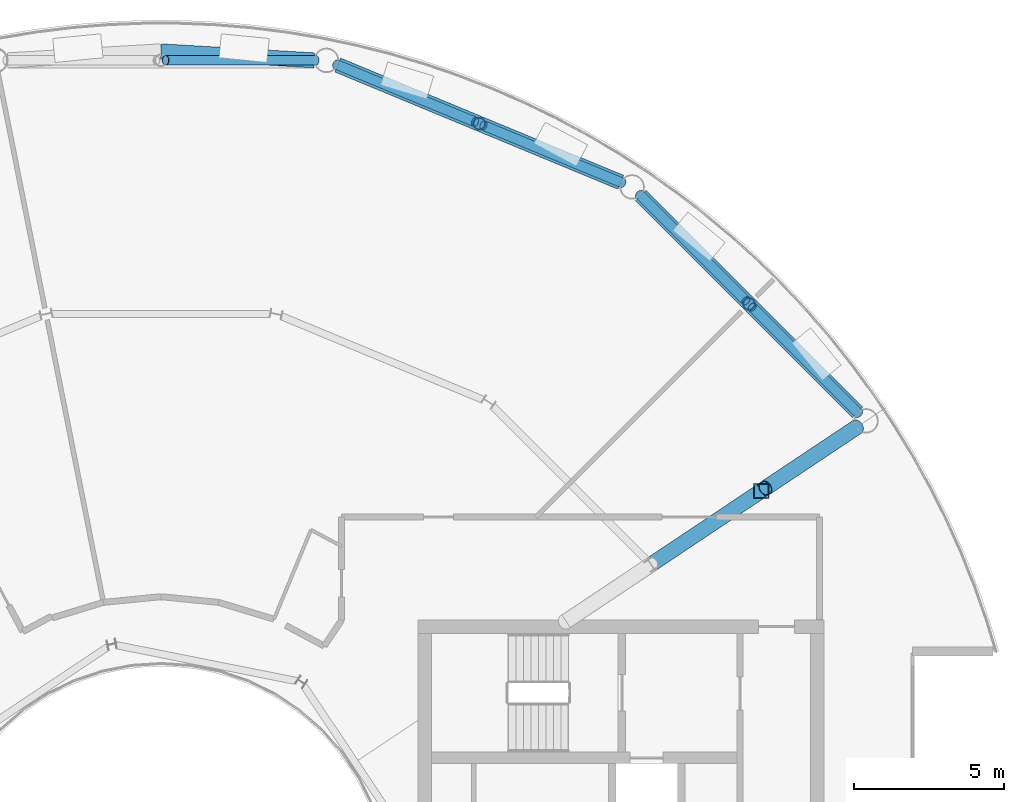
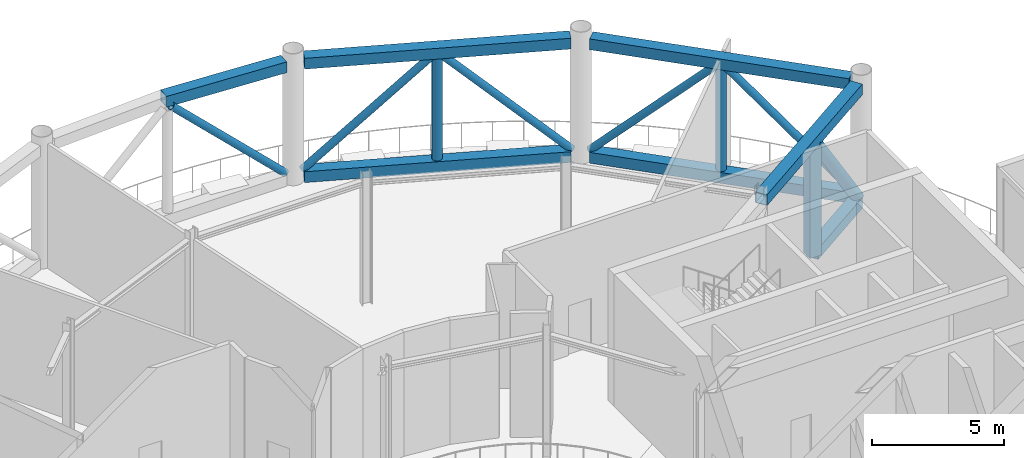
# One storey, part 10 of 24: 9 members, 7 beams.
"""IFC4 building model written with IfcOpenShell, lengths in metres."""

from ifc_helpers import new_model, si_unit, direction, frame, origin, origin_2d, place, context, subcontext, project, spatial, hollow_rectangle, hollow_circle, extrude, material, material_profile, profile_set, type_object, element, save


model = new_model("IFC4")

# Units and contexts
model_context = context("Model", 3, precision=1e-05, world=origin(), true_north=direction((0.0, 1.0)))
body_context = subcontext(model_context, "Body", "Model", "MODEL_VIEW")
ifc_project = project(units=[si_unit("LENGTHUNIT", "METRE"), si_unit("AREAUNIT", "SQUARE_METRE"), si_unit("VOLUMEUNIT", "CUBIC_METRE"), si_unit("PLANEANGLEUNIT", "RADIAN"), si_unit("MASSUNIT", "GRAM", prefix="KILO")], contexts=[model_context])

# Site, building, storey
site_placement = place(None, origin())
site = spatial("IfcSite", under=ifc_project, at=site_placement, CompositionType="ELEMENT")
building_placement = place(site_placement, origin())
building = spatial("IfcBuilding", under=site, at=building_placement, Name="Maasbend Ring Residences", CompositionType="ELEMENT")
storey_placement = place(building_placement, frame((0.0, 0.0, 221.85009765625)))
storey = spatial("IfcBuildingStorey", under=building, at=storey_placement, Name="L64", CompositionType="ELEMENT", Elevation=221.85009765625)

# Beams
ifc_material_1 = material(Name="Steel S460M", Category="steel")
ifc_material_profile_1 = material_profile(ifc_material_1, hollow_rectangle(XDim=0.5, YDim=0.5, WallThickness=0.030029296875, at=origin_2d()), Name="Belt truss chord BX 500x500x30")
ifc_profile_set_1 = profile_set([ifc_material_profile_1], Name="Steel S460M")
beam_type_1 = type_object("IfcBeamType", Name="Belt truss chord BX 500x500x30", PredefinedType="BEAM", material=ifc_profile_set_1)
for number, where, z_axis, x_axis, name in (
    (1, (23.159912109375, 15.95458984375, 0.25), (-0.707106781187, 0.707106781187, 0.0), (-0.707106781187, -0.707106781187, 0.0), "Belt truss"),
    (2, (23.159912109375, 15.95458984375, 5.5), (-0.707106781187, 0.707106781187, 0.0), (-0.707106781187, -0.707106781187, 0.0), "Belt truss"),
    (3, (15.29150390625, 23.60302734375, 0.25), (-0.923883676188, 0.382673428492, 0.0), (-0.382673428492, -0.923883676188, 0.0), "Belt truss"),
    (4, (15.29150390625, 23.60302734375, 5.5), (-0.923883676188, 0.382673428492, 0.0), (-0.382673428492, -0.923883676188, 0.0), "Belt truss"),
):
    element("IfcBeam", number, at=place(storey_placement, frame(where, z_axis=z_axis, x_axis=x_axis)), inside=storey, type_object=beam_type_1, Name=name, PredefinedType="BEAM", context=body_context, shape_type="SweptSolid", body=[
        extrude(hollow_rectangle(XDim=0.5, YDim=0.5, WallThickness=0.030029296875, at=origin_2d()), origin(), (0.0, 0.0, 1.0), 10.18994140625),
    ])
beam_1_placement = place(storey_placement, frame((5.094970703125, 27.658203125, 5.5), z_axis=(-0.998273218339, 0.058741650875, 0.0), x_axis=(-0.058741650875, -0.998273218339, 0.0)))
element("IfcBeam", 5, at=beam_1_placement, inside=storey, type_object=beam_type_1, Name="Belt truss", PredefinedType="BEAM", context=body_context, shape_type="SweptSolid", body=[
    extrude(hollow_rectangle(XDim=0.5, YDim=0.5, WallThickness=0.030029296875, at=origin_2d()), origin(), (0.0, 0.0, 1.0), 5.103759765625),
])

# Members
ifc_material_2 = material(Name="Steel S460NH", Category="steel")
ifc_material_profile_2 = material_profile(ifc_material_2, hollow_circle(Radius=0.161865234375, WallThickness=0.012451171875, at=origin_2d()), Name="Belt truss diagonal CHS 323.9x12.5")
ifc_profile_set_2 = profile_set([ifc_material_profile_2], Name="Steel S460NH")
member_type_1 = type_object("IfcMemberType", Name="Belt truss diagonal CHS 323.9x12.5", PredefinedType="BRACE", material=ifc_profile_set_2)
for number, where, z_axis, x_axis, name in (
    (6, (23.1962890625, 15.918212890625, 0.449951171875), (-0.50729843003, 0.50729843003, 0.69663233185), (-0.707106781187, -0.707106781187, 0.0), "Belt truss diagonal"),
    (7, (19.449951171875, 19.66455078125, 5.2998046875), (-0.50729843003, 0.50729843003, -0.69663233185), (-0.707106781187, -0.707106781187, 0.0), "Belt truss diagonal"),
    (8, (15.339111328125, 23.583251953125, 0.449951171875), (-0.662822090686, 0.274548126976, 0.696627735647), (-0.38268132365, -0.923880405967, 0.0), "Belt truss diagonal"),
    (9, (10.444091796875, 25.61083984375, 5.2998046875), (-0.662822090686, 0.274548126976, -0.696627735647), (-0.38268132365, -0.923880405967, 0.0), "Belt truss diagonal"),
    (10, (5.146484375, 27.658203125, 0.449951171875), (-0.7174451099, 0.0, 0.696615040235), (0.0, -1.0, 0.0), "Belt truss diagonal"),
):
    element("IfcMember", number, at=place(storey_placement, frame(where, z_axis=z_axis, x_axis=x_axis)), inside=storey, type_object=member_type_1, Name=name, PredefinedType="BRACE", context=body_context, shape_type="SweptSolid", body=[
        extrude(hollow_circle(Radius=0.161865234375, WallThickness=0.012451171875, at=origin_2d()), origin(), (0.0, 0.0, 1.0), 6.9619140625),
    ])
ifc_material_3 = material(Name="Steel S460NH", Category="steel")
ifc_material_profile_3 = material_profile(ifc_material_3, hollow_circle(Radius=0.203125, WallThickness=0.01611328125, at=origin_2d()), Name="Belt truss post CHS 406.4x16")
ifc_profile_set_3 = profile_set([ifc_material_profile_3], Name="Steel S460NH")
member_type_2 = type_object("IfcMemberType", Name="Belt truss post CHS 406.4x16", PredefinedType="POST", material=ifc_profile_set_3)
for number, where, z_axis, x_axis, name in (
    (11, (19.55712890625, 19.55712890625, 0.5), (0.0, 0.0, 1.0), (1.0, 0.0, 0.0), "Belt truss post"),
    (12, (10.584228515625, 25.552734375, 0.5), (0.0, 0.0, 1.0), (1.0, 0.0, 0.0), "Belt truss post"),
):
    element("IfcMember", number, at=place(storey_placement, frame(where, z_axis=z_axis, x_axis=x_axis)), inside=storey, type_object=member_type_2, Name=name, PredefinedType="POST", context=body_context, shape_type="SweptSolid", body=[
        extrude(hollow_circle(Radius=0.203125, WallThickness=0.01611328125, at=origin_2d()), origin(), (0.0, 0.0, 1.0), 4.75),
    ])

# Beams
ifc_material_4 = material(Name="Steel S460M", Category="steel")
ifc_material_profile_4 = material_profile(ifc_material_4, hollow_rectangle(XDim=0.5, YDim=0.5, WallThickness=0.030029296875, at=origin_2d()), Name="Outrigger truss chord BX 500x500x30")
ifc_profile_set_4 = profile_set([ifc_material_profile_4], Name="Steel S460M")
beam_type_2 = type_object("IfcBeamType", Name="Outrigger truss chord BX 500x500x30", PredefinedType="BEAM", material=ifc_profile_set_4)
beam_2_placement = place(storey_placement, frame((23.109375, 15.44140625, 0.25), z_axis=(-0.831444556462, -0.555607729904, 0.0), x_axis=(0.555607729904, -0.831444556462, 0.0)))
element("IfcBeam", 13, at=beam_2_placement, inside=storey, type_object=beam_type_2, Name="Outrigger truss", PredefinedType="BEAM", context=body_context, shape_type="SweptSolid", body=[
    extrude(hollow_rectangle(XDim=0.5, YDim=0.5, WallThickness=0.030029296875, at=origin_2d()), origin(), (0.0, 0.0, 1.0), 3.78564453125),
])
beam_3_placement = place(storey_placement, frame((23.109375, 15.44140625, 5.5), z_axis=(-0.831453297605, -0.555594648914, 0.0), x_axis=(0.555594648914, -0.831453297605, 0.0)))
element("IfcBeam", 14, at=beam_3_placement, inside=storey, type_object=beam_type_2, Name="Outrigger truss", PredefinedType="BEAM", context=body_context, shape_type="SweptSolid", body=[
    extrude(hollow_rectangle(XDim=0.5, YDim=0.5, WallThickness=0.030029296875, at=origin_2d()), origin(), (0.0, 0.0, 1.0), 8.185546875),
])

# Members
ifc_material_5 = material(Name="Steel S460NH", Category="steel")
ifc_material_profile_5 = material_profile(ifc_material_5, hollow_circle(Radius=0.25390625, WallThickness=0.02490234375, at=origin_2d()), Name="Outrigger truss diagonal CHS 508x25")
ifc_profile_set_5 = profile_set([ifc_material_profile_5], Name="Steel S460NH")
member_type_3 = type_object("IfcMemberType", Name="Outrigger truss diagonal CHS 508x25", PredefinedType="BRACE", material=ifc_profile_set_5)
member_1_placement = place(storey_placement, frame((23.140869140625, 15.462158203125, 0.449951171875), z_axis=(-0.50066184566, -0.334511402539, 0.798398295259), x_axis=(0.555547100174, -0.83148506871, 0.0)))
element("IfcMember", 15, at=member_1_placement, inside=storey, type_object=member_type_3, Name="Outrigger truss diagonal", PredefinedType="BRACE", context=body_context, shape_type="SweptSolid", body=[
    extrude(hollow_circle(Radius=0.25390625, WallThickness=0.02490234375, at=origin_2d()), origin(), (0.0, 0.0, 1.0), 6.074462890625),
])
ifc_material_6 = material(Name="Steel S460M", Category="steel")
ifc_material_profile_6 = material_profile(ifc_material_6, hollow_rectangle(XDim=0.5, YDim=0.5, WallThickness=0.030029296875, at=origin_2d()), Name="Outrigger truss post BX 500x500x30")
ifc_profile_set_6 = profile_set([ifc_material_profile_6], Name="Steel S460M")
member_type_4 = type_object("IfcMemberType", Name="Outrigger truss post BX 500x500x30", PredefinedType="POST", material=ifc_profile_set_6)
member_2_placement = place(storey_placement, frame((19.9619140625, 13.338134765625, 0.199951171875), z_axis=(0.0, 0.0, 1.0), x_axis=(1.0, 0.0, 0.0)))
element("IfcMember", 16, at=member_2_placement, inside=storey, type_object=member_type_4, Name="Outrigger truss post", PredefinedType="POST", context=body_context, shape_type="SweptSolid", body=[
    extrude(hollow_rectangle(XDim=0.5, YDim=0.5, WallThickness=0.030029296875, at=origin_2d()), origin(), (0.0, 0.0, 1.0), 5.050048828125),
])

save(model, "model.ifc")
